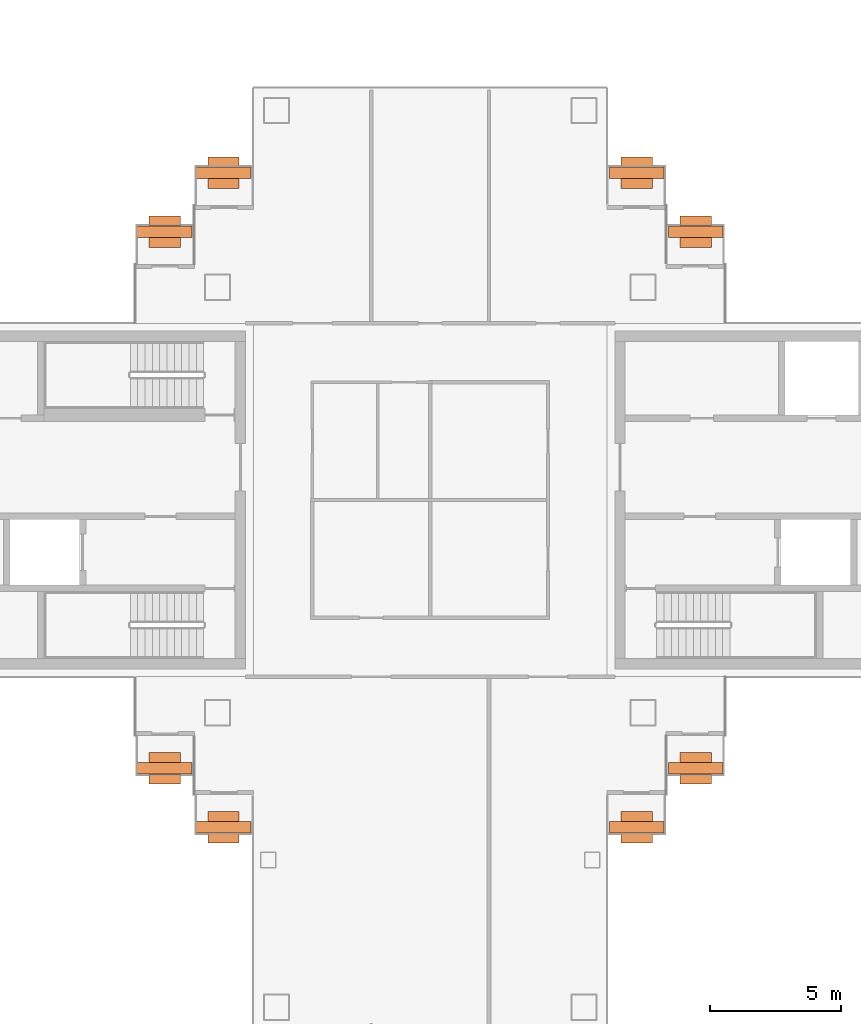
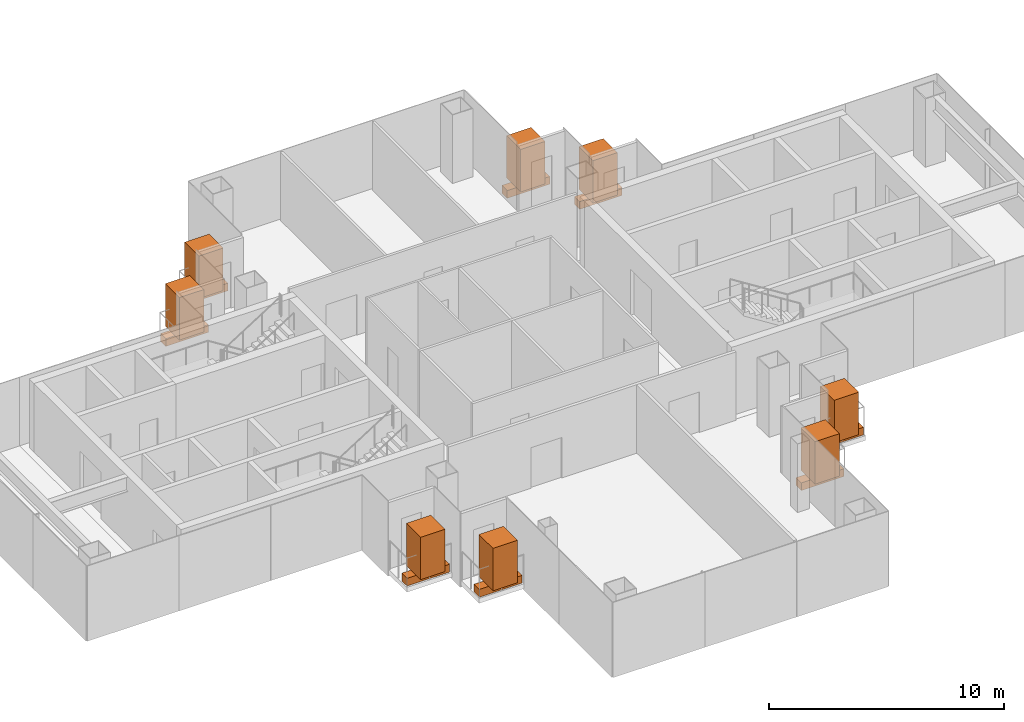
# One storey, part 15 of 15: 8 geographic elements, 8 proxies.
"""IFC4 building model written with IfcOpenShell, lengths in metres."""

from ifc_helpers import new_model, si_unit, direction, frame, origin, origin_2d, place, context, subcontext, project, spatial, rectangle, extrude, material, type_object, element, save


model = new_model("IFC4")

# Units and contexts
model_context = context("Model", 3, precision=1e-05, world=origin(), true_north=direction((0.0, 1.0)))
body_context = subcontext(model_context, "Body", "Model", "MODEL_VIEW")
ifc_project = project(units=[si_unit("LENGTHUNIT", "METRE"), si_unit("AREAUNIT", "SQUARE_METRE"), si_unit("VOLUMEUNIT", "CUBIC_METRE"), si_unit("PLANEANGLEUNIT", "RADIAN"), si_unit("MASSUNIT", "GRAM", prefix="KILO")], contexts=[model_context])

# Site, building, storey
site_placement = place(None, origin())
site = spatial("IfcSite", under=ifc_project, at=site_placement, CompositionType="ELEMENT")
building_placement = place(site_placement, origin())
building = spatial("IfcBuilding", under=site, at=building_placement, Name="Shamsa Quay Exchange Towers", CompositionType="ELEMENT")
storey_placement = place(building_placement, frame((0.0, 0.0, 206.10009765625)))
storey = spatial("IfcBuildingStorey", under=building, at=storey_placement, Name="L49", CompositionType="ELEMENT", Elevation=206.10009765625)

# Proxies
ifc_material_1 = material(Name="Reinforced concrete C30/37, black glass-fibre faced", Category="concrete")
building_element_proxy_type = type_object("IfcBuildingElementProxyType", Name="BALCONY PLANTER", PredefinedType="USERDEFINED", material=ifc_material_1)
for number, where, z_axis, x_axis, name in (
    (1, (-23.60595703125, 10.2451171875, 0.0), (0.0, 0.0, 1.0), (-1.0, 0.0, 0.0), "PLANTER T1-PKEN L49"),
    (2, (-25.85595703125, 12.4951171875, 0.0), (0.0, 0.0, 1.0), (-1.0, 0.0, 0.0), "PLANTER T1-PKEN L49"),
):
    element("IfcBuildingElementProxy", number, at=place(storey_placement, frame(where, z_axis=z_axis, x_axis=x_axis)), inside=storey, type_object=building_element_proxy_type, Name=name, ObjectType="PLANTER", PredefinedType="USERDEFINED", context=body_context, shape_type="SweptSolid", body=[
        extrude(rectangle(XDim=2.092041015625, YDim=0.449951171875, at=origin_2d()), origin(), (0.0, 0.0, 1.0), 0.39990234375),
    ])
for number, where, name in (
    (3, (-23.60595703125, -10.2451171875, 0.0), "PLANTER T1-PKES L49"),
    (4, (-25.85595703125, -12.4951171875, 0.0), "PLANTER T1-PKES L49"),
):
    element("IfcBuildingElementProxy", number, at=place(storey_placement, frame(where)), inside=storey, type_object=building_element_proxy_type, Name=name, ObjectType="PLANTER", PredefinedType="USERDEFINED", context=body_context, shape_type="SweptSolid", body=[
        extrude(rectangle(XDim=2.092041015625, YDim=0.449951171875, at=origin_2d()), origin(), (0.0, 0.0, 1.0), 0.39990234375),
    ])
for number, where, z_axis, x_axis, name in (
    (5, (-41.64404296875, 12.4951171875, 0.0), (0.0, 0.0, 1.0), (-1.0, 0.0, 0.0), "PLANTER T1-PKWN L49"),
    (6, (-43.89404296875, 10.2451171875, 0.0), (0.0, 0.0, 1.0), (-1.0, 0.0, 0.0), "PLANTER T1-PKWN L49"),
):
    element("IfcBuildingElementProxy", number, at=place(storey_placement, frame(where, z_axis=z_axis, x_axis=x_axis)), inside=storey, type_object=building_element_proxy_type, Name=name, ObjectType="PLANTER", PredefinedType="USERDEFINED", context=body_context, shape_type="SweptSolid", body=[
        extrude(rectangle(XDim=2.092041015625, YDim=0.449951171875, at=origin_2d()), origin(), (0.0, 0.0, 1.0), 0.39990234375),
    ])
for number, where, name in (
    (7, (-43.89404296875, -10.2451171875, 0.0), "PLANTER T1-PKWS L49"),
    (8, (-41.64404296875, -12.4951171875, 0.0), "PLANTER T1-PKWS L49"),
):
    element("IfcBuildingElementProxy", number, at=place(storey_placement, frame(where)), inside=storey, type_object=building_element_proxy_type, Name=name, ObjectType="PLANTER", PredefinedType="USERDEFINED", context=body_context, shape_type="SweptSolid", body=[
        extrude(rectangle(XDim=2.092041015625, YDim=0.449951171875, at=origin_2d()), origin(), (0.0, 0.0, 1.0), 0.39990234375),
    ])

# Geographic elements
ifc_material_2 = material(Name="Planting")
geographic_element_type = type_object("IfcGeographicElementType", Name="BALCONY TREE", PredefinedType="USERDEFINED", material=ifc_material_2)
for number, where, z_axis, x_axis, name in (
    (9, (-23.60595703125, 10.2451171875, 0.39990234375), (0.0, 0.0, 1.0), (-1.0, 0.0, 0.0), "TREE T1-PKEN L49"),
    (10, (-25.85595703125, 12.4951171875, 0.39990234375), (0.0, 0.0, 1.0), (-1.0, 0.0, 0.0), "TREE T1-PKEN L49"),
):
    element("IfcGeographicElement", number, at=place(storey_placement, frame(where, z_axis=z_axis, x_axis=x_axis)), inside=storey, type_object=geographic_element_type, Name=name, ObjectType="TREE", PredefinedType="USERDEFINED", context=body_context, shape_type="SweptSolid", body=[
        extrude(rectangle(XDim=1.199951171875, YDim=1.199951171875, at=origin_2d()), origin(), (0.0, 0.0, 1.0), 2.199951171875),
    ])
for number, where, name in (
    (11, (-23.60595703125, -10.2451171875, 0.39990234375), "TREE T1-PKES L49"),
    (12, (-25.85595703125, -12.4951171875, 0.39990234375), "TREE T1-PKES L49"),
):
    element("IfcGeographicElement", number, at=place(storey_placement, frame(where)), inside=storey, type_object=geographic_element_type, Name=name, ObjectType="TREE", PredefinedType="USERDEFINED", context=body_context, shape_type="SweptSolid", body=[
        extrude(rectangle(XDim=1.199951171875, YDim=1.199951171875, at=origin_2d()), origin(), (0.0, 0.0, 1.0), 2.199951171875),
    ])
for number, where, z_axis, x_axis, name in (
    (13, (-41.64404296875, 12.4951171875, 0.39990234375), (0.0, 0.0, 1.0), (-1.0, 0.0, 0.0), "TREE T1-PKWN L49"),
    (14, (-43.89404296875, 10.2451171875, 0.39990234375), (0.0, 0.0, 1.0), (-1.0, 0.0, 0.0), "TREE T1-PKWN L49"),
):
    element("IfcGeographicElement", number, at=place(storey_placement, frame(where, z_axis=z_axis, x_axis=x_axis)), inside=storey, type_object=geographic_element_type, Name=name, ObjectType="TREE", PredefinedType="USERDEFINED", context=body_context, shape_type="SweptSolid", body=[
        extrude(rectangle(XDim=1.199951171875, YDim=1.199951171875, at=origin_2d()), origin(), (0.0, 0.0, 1.0), 2.199951171875),
    ])
for number, where, name in (
    (15, (-43.89404296875, -10.2451171875, 0.39990234375), "TREE T1-PKWS L49"),
    (16, (-41.64404296875, -12.4951171875, 0.39990234375), "TREE T1-PKWS L49"),
):
    element("IfcGeographicElement", number, at=place(storey_placement, frame(where)), inside=storey, type_object=geographic_element_type, Name=name, ObjectType="TREE", PredefinedType="USERDEFINED", context=body_context, shape_type="SweptSolid", body=[
        extrude(rectangle(XDim=1.199951171875, YDim=1.199951171875, at=origin_2d()), origin(), (0.0, 0.0, 1.0), 2.199951171875),
    ])

save(model, "model.ifc")
